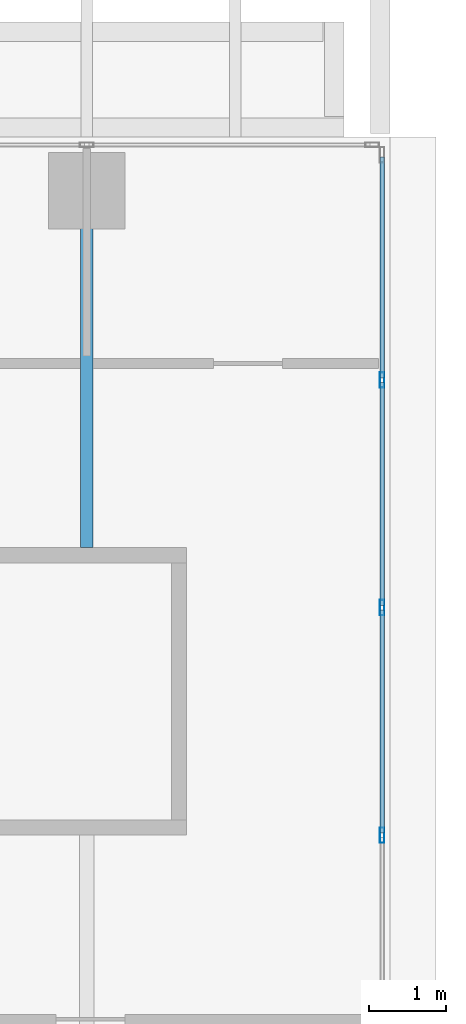
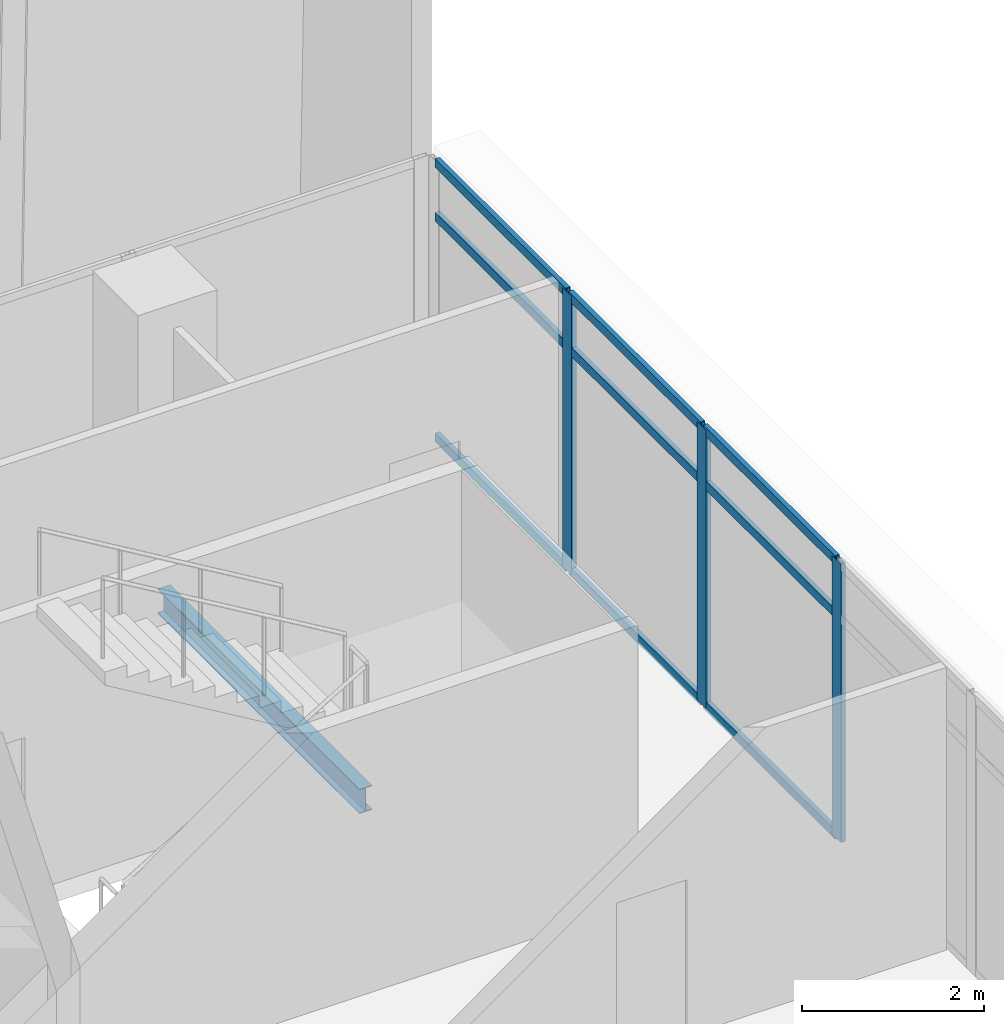
# One storey, part 20 of 43: 12 members, 1 beam, 1 element without a shape of its own.
"""IFC4 building model written with IfcOpenShell, lengths in metres."""

from ifc_helpers import new_model, si_unit, direction, frame, origin, origin_2d, place, context, subcontext, project, spatial, hollow_rectangle, i_section, extrude, source, transform, mapped, material, material_profile, profile_set, type_object, element, aggregate, save


model = new_model("IFC4")

# Units and contexts
model_context = context("Model", 3, precision=1e-05, world=origin(), true_north=direction((0.0, 1.0)))
body_context = subcontext(model_context, "Body", "Model", "MODEL_VIEW")
ifc_project = project(units=[si_unit("LENGTHUNIT", "METRE"), si_unit("AREAUNIT", "SQUARE_METRE"), si_unit("VOLUMEUNIT", "CUBIC_METRE"), si_unit("PLANEANGLEUNIT", "RADIAN"), si_unit("MASSUNIT", "GRAM", prefix="KILO")], contexts=[model_context])

# Site, building, storey
site_placement = place(None, origin())
site = spatial("IfcSite", under=ifc_project, at=site_placement, CompositionType="ELEMENT")
building_placement = place(site_placement, origin())
building = spatial("IfcBuilding", under=site, at=building_placement, Name="Khomas Fold Tower", CompositionType="ELEMENT")
storey_placement = place(building_placement, frame((0.0, 0.0, 164.699951171875)))
storey = spatial("IfcBuildingStorey", under=building, at=storey_placement, Name="L35", CompositionType="ELEMENT", Elevation=164.699951171875)

# Beam
ifc_material_1 = material(Name="Steel S355", Category="steel")
ifc_material_profile_1 = material_profile(ifc_material_1, i_section(OverallWidth=0.159912109375, OverallDepth=0.330078125, WebThickness=0.007568359375, FlangeThickness=0.011474609375, at=origin_2d()), Name="IPE 330")
ifc_profile_set_1 = profile_set([ifc_material_profile_1], Name="Steel S355")
beam_type = type_object("IfcBeamType", Name="IPE 330 beam JB1", PredefinedType="BEAM", material=ifc_profile_set_1)
shared_shape_1 = source(origin(), body_context, "Body", "SweptSolid", [
    extrude(i_section(OverallWidth=0.159912109375, OverallDepth=0.330078125, WebThickness=0.007568359375, FlangeThickness=0.011474609375, at=origin_2d()), origin(), (0.0, 0.0, 1.0), 4.4501953125),
])
beam_placement = place(storey_placement, frame((27.0, 45.64990234375, -0.4150390625), z_axis=(0.0, 1.0, 0.0), x_axis=(-1.0, 0.0, 0.0)))
element("IfcBeam", 1, at=beam_placement, inside=storey, type_object=beam_type, Name="JB1", PredefinedType="BEAM", context=body_context, shape_type="MappedRepresentation", body=[
    mapped(shared_shape_1, transform((0.0, 0.0, 0.0))),
])

# Curtain wall, members
ifc_material_2 = material(Name="Aluminium framed double glazing", Category="aluminium")
curtain_wall_type = type_object("IfcCurtainWallType", Name="Notch glazing GN-CW", PredefinedType="NOTDEFINED", material=ifc_material_2)
curtain_wall_placement = place(storey_placement, origin())
curtain_wall = element("IfcCurtainWall", 2, at=curtain_wall_placement, inside=storey, type_object=curtain_wall_type, Name="Notch glazing run", PredefinedType="NOTDEFINED")
ifc_material_3 = material(Name="Aluminium", Category="aluminium")
ifc_material_profile_2 = material_profile(ifc_material_3, hollow_rectangle(XDim=0.06005859375, YDim=0.1201171875, WallThickness=0.00390625, at=origin_2d()), Name="Notch glazing transom GN-CW-T")
ifc_profile_set_2 = profile_set([ifc_material_profile_2], Name="Aluminium")
member_type_1 = type_object("IfcMemberType", Name="Notch glazing transom GN-CW-T", PredefinedType="USERDEFINED", material=ifc_profile_set_2)
shared_shape_2 = source(origin(), body_context, "Body", "SweptSolid", [
    extrude(hollow_rectangle(XDim=0.06005859375, YDim=0.1201171875, WallThickness=0.00390625, at=origin_2d()), origin(), (0.0, 0.0, 1.0), 2.876708984375),
])
member_1_placement = place(storey_placement, frame((30.85009765625, 47.86328125, 0.030029296875), z_axis=(0.0, 1.0, 0.0), x_axis=(-1.0, 0.0, 0.0)))
member_1 = element("IfcMember", 3, at=member_1_placement, type_object=member_type_1, Name="GN-CW transom 6.1", ObjectType="TRANSOM", PredefinedType="USERDEFINED", context=body_context, shape_type="MappedRepresentation", body=[
    mapped(shared_shape_2, transform((0.0, 0.0, 0.0))),
])
member_2_placement = place(storey_placement, frame((30.85009765625, 47.86328125, 3.0), z_axis=(0.0, 1.0, 0.0), x_axis=(-1.0, 0.0, 0.0)))
member_2 = element("IfcMember", 4, at=member_2_placement, type_object=member_type_1, Name="GN-CW transom 6.2", ObjectType="TRANSOM", PredefinedType="USERDEFINED", context=body_context, shape_type="MappedRepresentation", body=[
    mapped(shared_shape_2, transform((0.0, 0.0, 0.0))),
])
member_3_placement = place(storey_placement, frame((30.85009765625, 47.86328125, 3.719970703125), z_axis=(0.0, 1.0, 0.0), x_axis=(-1.0, 0.0, 0.0)))
member_3 = element("IfcMember", 5, at=member_3_placement, type_object=member_type_1, Name="GN-CW transom 6.3", ObjectType="TRANSOM", PredefinedType="USERDEFINED", context=body_context, shape_type="MappedRepresentation", body=[
    mapped(shared_shape_2, transform((0.0, 0.0, 0.0))),
])
shared_shape_3 = source(origin(), body_context, "Body", "SweptSolid", [
    extrude(hollow_rectangle(XDim=0.06005859375, YDim=0.1201171875, WallThickness=0.00390625, at=origin_2d()), origin(), (0.0, 0.0, 1.0), 2.90673828125),
])
member_4_placement = place(storey_placement, frame((30.85009765625, 41.929931640625, 0.030029296875), z_axis=(0.0, 1.0, 0.0), x_axis=(-1.0, 0.0, 0.0)))
member_4 = element("IfcMember", 6, at=member_4_placement, type_object=member_type_1, Name="GN-CW transom 4.1", ObjectType="TRANSOM", PredefinedType="USERDEFINED", context=body_context, shape_type="MappedRepresentation", body=[
    mapped(shared_shape_3, transform((0.0, 0.0, 0.0))),
])
member_5_placement = place(storey_placement, frame((30.85009765625, 41.929931640625, 3.0), z_axis=(0.0, 1.0, 0.0), x_axis=(-1.0, 0.0, 0.0)))
member_5 = element("IfcMember", 7, at=member_5_placement, type_object=member_type_1, Name="GN-CW transom 4.2", ObjectType="TRANSOM", PredefinedType="USERDEFINED", context=body_context, shape_type="MappedRepresentation", body=[
    mapped(shared_shape_3, transform((0.0, 0.0, 0.0))),
])
member_6_placement = place(storey_placement, frame((30.85009765625, 41.929931640625, 3.719970703125), z_axis=(0.0, 1.0, 0.0), x_axis=(-1.0, 0.0, 0.0)))
member_6 = element("IfcMember", 8, at=member_6_placement, type_object=member_type_1, Name="GN-CW transom 4.3", ObjectType="TRANSOM", PredefinedType="USERDEFINED", context=body_context, shape_type="MappedRepresentation", body=[
    mapped(shared_shape_3, transform((0.0, 0.0, 0.0))),
])
shared_shape_4 = source(origin(), body_context, "Body", "SweptSolid", [
    extrude(hollow_rectangle(XDim=0.06005859375, YDim=0.1201171875, WallThickness=0.00390625, at=origin_2d()), origin(), (0.0, 0.0, 1.0), 2.906494140625),
])
member_7_placement = place(storey_placement, frame((30.85009765625, 44.896728515625, 0.030029296875), z_axis=(0.0, 1.0, 0.0), x_axis=(-1.0, 0.0, 0.0)))
member_7 = element("IfcMember", 9, at=member_7_placement, type_object=member_type_1, Name="GN-CW transom 5.1", ObjectType="TRANSOM", PredefinedType="USERDEFINED", context=body_context, shape_type="MappedRepresentation", body=[
    mapped(shared_shape_4, transform((0.0, 0.0, 0.0))),
])
member_8_placement = place(storey_placement, frame((30.85009765625, 44.896728515625, 3.0), z_axis=(0.0, 1.0, 0.0), x_axis=(-1.0, 0.0, 0.0)))
member_8 = element("IfcMember", 10, at=member_8_placement, type_object=member_type_1, Name="GN-CW transom 5.2", ObjectType="TRANSOM", PredefinedType="USERDEFINED", context=body_context, shape_type="MappedRepresentation", body=[
    mapped(shared_shape_4, transform((0.0, 0.0, 0.0))),
])
member_9_placement = place(storey_placement, frame((30.85009765625, 44.896728515625, 3.719970703125), z_axis=(0.0, 1.0, 0.0), x_axis=(-1.0, 0.0, 0.0)))
member_9 = element("IfcMember", 11, at=member_9_placement, type_object=member_type_1, Name="GN-CW transom 5.3", ObjectType="TRANSOM", PredefinedType="USERDEFINED", context=body_context, shape_type="MappedRepresentation", body=[
    mapped(shared_shape_4, transform((0.0, 0.0, 0.0))),
])
ifc_material_4 = material(Name="Aluminium", Category="aluminium")
ifc_material_profile_3 = material_profile(ifc_material_4, hollow_rectangle(XDim=0.06005859375, YDim=0.199951171875, WallThickness=0.00390625, at=origin_2d()), Name="Notch glazing mullion GN-CW-M")
ifc_profile_set_3 = profile_set([ifc_material_profile_3], Name="Aluminium")
member_type_2 = type_object("IfcMemberType", Name="Notch glazing mullion GN-CW-M", PredefinedType="MULLION", material=ifc_profile_set_3)
shared_shape_5 = source(origin(), body_context, "Body", "SweptSolid", [
    extrude(hollow_rectangle(XDim=0.06005859375, YDim=0.199951171875, WallThickness=0.00390625, at=origin_2d()), origin(), (0.0, 0.0, 1.0), 3.75),
])
member_10_placement = place(storey_placement, frame((30.85009765625, 41.89990234375, 0.0), z_axis=(0.0, 0.0, 1.0), x_axis=(-1.0, 0.0, 0.0)))
member_10 = element("IfcMember", 12, at=member_10_placement, type_object=member_type_2, Name="GN-CW mullion 4", PredefinedType="MULLION", context=body_context, shape_type="MappedRepresentation", body=[
    mapped(shared_shape_5, transform((0.0, 0.0, 0.0))),
])
member_11_placement = place(storey_placement, frame((30.85009765625, 44.86669921875, 0.0), z_axis=(0.0, 0.0, 1.0), x_axis=(-1.0, 0.0, 0.0)))
member_11 = element("IfcMember", 13, at=member_11_placement, type_object=member_type_2, Name="GN-CW mullion 5", PredefinedType="MULLION", context=body_context, shape_type="MappedRepresentation", body=[
    mapped(shared_shape_5, transform((0.0, 0.0, 0.0))),
])
member_12_placement = place(storey_placement, frame((30.85009765625, 47.833251953125, 0.0), z_axis=(0.0, 0.0, 1.0), x_axis=(-1.0, 0.0, 0.0)))
member_12 = element("IfcMember", 14, at=member_12_placement, type_object=member_type_2, Name="GN-CW mullion 6", PredefinedType="MULLION", context=body_context, shape_type="MappedRepresentation", body=[
    mapped(shared_shape_5, transform((0.0, 0.0, 0.0))),
])
aggregate(curtain_wall, [member_10, member_11, member_12, member_4, member_5, member_6, member_7, member_8, member_9, member_1, member_2, member_3])

save(model, "model.ifc")
